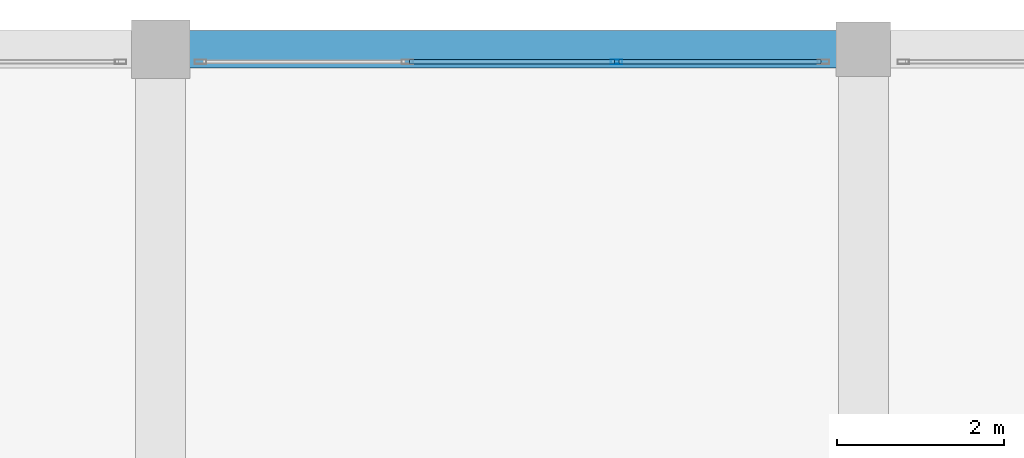
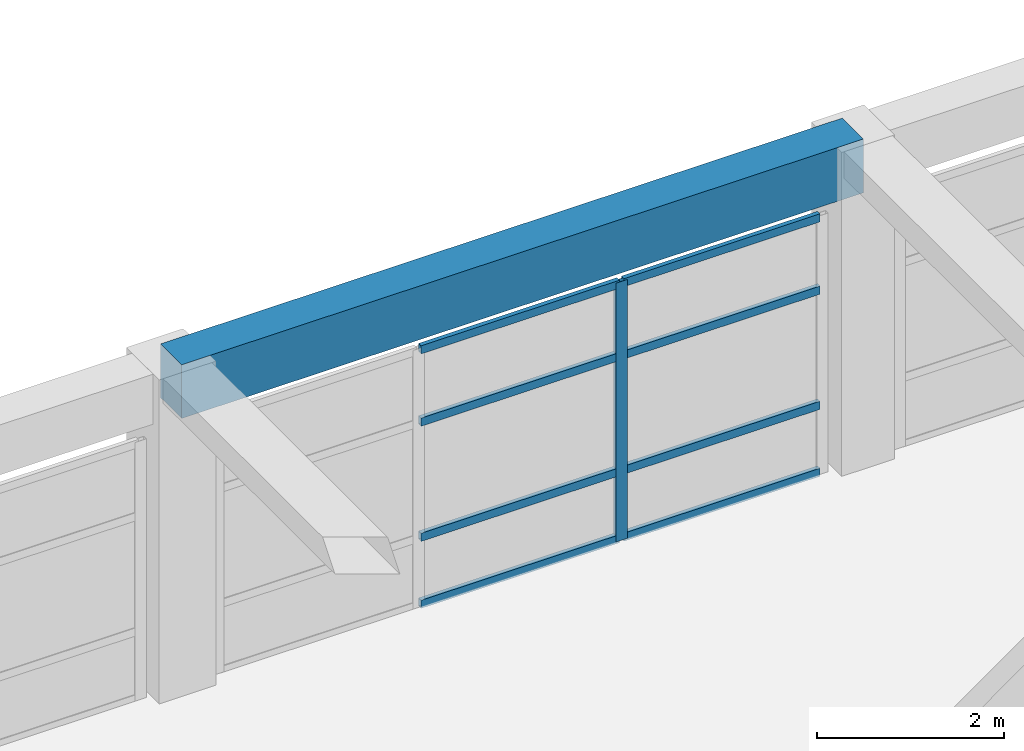
# One storey, part 48 of 85: 9 members, 1 beam, 1 element without a shape of its own.
"""IFC4 building model written with IfcOpenShell, lengths in metres."""

from ifc_helpers import new_model, si_unit, direction, frame, origin, origin_2d, place, context, subcontext, project, spatial, rectangle, hollow_rectangle, extrude, material, material_profile, profile_set, type_object, element, aggregate, save


model = new_model("IFC4")

# Units and contexts
model_context = context("Model", 3, precision=1e-05, world=origin(), true_north=direction((0.0, 1.0)))
body_context = subcontext(model_context, "Body", "Model", "MODEL_VIEW")
ifc_project = project(units=[si_unit("LENGTHUNIT", "METRE"), si_unit("AREAUNIT", "SQUARE_METRE"), si_unit("VOLUMEUNIT", "CUBIC_METRE"), si_unit("PLANEANGLEUNIT", "RADIAN"), si_unit("MASSUNIT", "GRAM", prefix="KILO")], contexts=[model_context])

# Site, building, storey
site_placement = place(None, origin())
site = spatial("IfcSite", under=ifc_project, at=site_placement, CompositionType="ELEMENT")
building_placement = place(site_placement, origin())
building = spatial("IfcBuilding", under=site, at=building_placement, Name="Almacenes y Pasaje Nevantli", CompositionType="ELEMENT")
storey_placement = place(building_placement, frame((0.0, 0.0, 22.199951171875)))
storey = spatial("IfcBuildingStorey", under=building, at=storey_placement, Name="L05", CompositionType="ELEMENT", Elevation=22.199951171875)

# Beam
ifc_material_1 = material(Name="Concrete C35/45", Category="concrete")
ifc_material_profile_1 = material_profile(ifc_material_1, rectangle(XDim=0.449951171875, YDim=0.699951171875, at=origin_2d()), Name="RC-BM-450x700")
ifc_profile_set_1 = profile_set([ifc_material_profile_1], Name="Concrete C35/45")
beam_type = type_object("IfcBeamType", Name="BM-RC-450x700", PredefinedType="SPANDREL", material=ifc_profile_set_1)
beam_placement = place(storey_placement, frame((100.800048828125, 117.60009765625, 3.8701171875), z_axis=(1.0, 0.0, 0.0), x_axis=(0.0, 1.0, 0.0)))
element("IfcBeam", 1, at=beam_placement, inside=storey, type_object=beam_type, Name="L05 East-West Reinforced Concrete Beam #3414", PredefinedType="SPANDREL", context=body_context, shape_type="SweptSolid", body=[
    extrude(rectangle(XDim=0.449951171875, YDim=0.699951171875, at=origin_2d()), origin(), (0.0, 0.0, 1.0), 8.39990234375),
])

# Curtain wall, members
ifc_material_2 = material(Name="Thermally Broken Aluminium and Low-E Glass", Category="aluminium")
curtain_wall_type = type_object("IfcCurtainWallType", Name="CW-UNIT-PODIUM", PredefinedType="USERDEFINED", material=ifc_material_2)
curtain_wall_placement = place(storey_placement, origin())
curtain_wall = element("IfcCurtainWall", 2, at=curtain_wall_placement, inside=storey, type_object=curtain_wall_type, Name="L05 Sky-Lobby North Curtain Wall Bay 13", ObjectType="UNITIZED CURTAIN WALL", PredefinedType="USERDEFINED")
ifc_material_3 = material(Name="Thermally Broken Anodized Aluminium", Category="aluminium")
ifc_material_profile_2 = material_profile(ifc_material_3, hollow_rectangle(XDim=0.054931640625, YDim=0.139892578125, WallThickness=0.00341796875, at=origin_2d()), Name="ALU-MUL-55x140")
ifc_profile_set_2 = profile_set([ifc_material_profile_2], Name="Thermally Broken Anodized Aluminium")
member_type_1 = type_object("IfcMemberType", Name="CW-MUL-160", PredefinedType="MULLION", material=ifc_profile_set_2)
member_1_placement = place(storey_placement, frame((106.25, 117.449951171875, 0.0), z_axis=(0.0, 0.0, 1.0), x_axis=(0.0, 1.0, 0.0)))
member_1 = element("IfcMember", 3, at=member_1_placement, type_object=member_type_1, Name="CW-L05-084 mullion 3", PredefinedType="MULLION", context=body_context, shape_type="SweptSolid", body=[
    extrude(hollow_rectangle(XDim=0.054931640625, YDim=0.139892578125, WallThickness=0.00341796875, at=origin_2d()), origin(), (0.0, 0.0, 1.0), 3.3701171875),
])
ifc_material_4 = material(Name="Thermally Broken Anodized Aluminium", Category="aluminium")
ifc_material_profile_3 = material_profile(ifc_material_4, hollow_rectangle(XDim=0.054931640625, YDim=0.10498046875, WallThickness=0.003173828125, at=origin_2d()), Name="ALU-TRN-55x105")
ifc_profile_set_3 = profile_set([ifc_material_profile_3], Name="Thermally Broken Anodized Aluminium")
member_type_2 = type_object("IfcMemberType", Name="CW-TRN-120", PredefinedType="USERDEFINED", material=ifc_profile_set_3)
member_2_placement = place(storey_placement, frame((103.777587890625, 117.449951171875, 0.027587890625), z_axis=(1.0, 0.0, 0.0), x_axis=(0.0, 1.0, 0.0)))
member_2 = element("IfcMember", 4, at=member_2_placement, type_object=member_type_2, Name="CW-L05-084 transom 2.1", ObjectType="TRANSOM", PredefinedType="USERDEFINED", context=body_context, shape_type="SweptSolid", body=[
    extrude(hollow_rectangle(XDim=0.054931640625, YDim=0.10498046875, WallThickness=0.003173828125, at=origin_2d()), origin(), (0.0, 0.0, 1.0), 2.44482421875),
])
member_3_placement = place(storey_placement, frame((103.777587890625, 117.449951171875, 0.900146484375), z_axis=(1.0, 0.0, 0.0), x_axis=(0.0, 1.0, 0.0)))
member_3 = element("IfcMember", 5, at=member_3_placement, type_object=member_type_2, Name="CW-L05-084 transom 2.2", ObjectType="TRANSOM", PredefinedType="USERDEFINED", context=body_context, shape_type="SweptSolid", body=[
    extrude(hollow_rectangle(XDim=0.054931640625, YDim=0.10498046875, WallThickness=0.003173828125, at=origin_2d()), origin(), (0.0, 0.0, 1.0), 2.44482421875),
])
member_4_placement = place(storey_placement, frame((103.777587890625, 117.449951171875, 2.400146484375), z_axis=(1.0, 0.0, 0.0), x_axis=(0.0, 1.0, 0.0)))
member_4 = element("IfcMember", 6, at=member_4_placement, type_object=member_type_2, Name="CW-L05-084 transom 2.3", ObjectType="TRANSOM", PredefinedType="USERDEFINED", context=body_context, shape_type="SweptSolid", body=[
    extrude(hollow_rectangle(XDim=0.054931640625, YDim=0.10498046875, WallThickness=0.003173828125, at=origin_2d()), origin(), (0.0, 0.0, 1.0), 2.44482421875),
])
member_5_placement = place(storey_placement, frame((103.777587890625, 117.449951171875, 3.342529296875), z_axis=(1.0, 0.0, 0.0), x_axis=(0.0, 1.0, 0.0)))
member_5 = element("IfcMember", 7, at=member_5_placement, type_object=member_type_2, Name="CW-L05-084 transom 2.4", ObjectType="TRANSOM", PredefinedType="USERDEFINED", context=body_context, shape_type="SweptSolid", body=[
    extrude(hollow_rectangle(XDim=0.054931640625, YDim=0.10498046875, WallThickness=0.003173828125, at=origin_2d()), origin(), (0.0, 0.0, 1.0), 2.44482421875),
])
member_6_placement = place(storey_placement, frame((106.277587890625, 117.449951171875, 0.027587890625), z_axis=(1.0, 0.0, 0.0), x_axis=(0.0, 1.0, 0.0)))
member_6 = element("IfcMember", 8, at=member_6_placement, type_object=member_type_2, Name="CW-L05-084 transom 3.1", ObjectType="TRANSOM", PredefinedType="USERDEFINED", context=body_context, shape_type="SweptSolid", body=[
    extrude(hollow_rectangle(XDim=0.054931640625, YDim=0.10498046875, WallThickness=0.003173828125, at=origin_2d()), origin(), (0.0, 0.0, 1.0), 2.41748046875),
])
member_7_placement = place(storey_placement, frame((106.277587890625, 117.449951171875, 0.900146484375), z_axis=(1.0, 0.0, 0.0), x_axis=(0.0, 1.0, 0.0)))
member_7 = element("IfcMember", 9, at=member_7_placement, type_object=member_type_2, Name="CW-L05-084 transom 3.2", ObjectType="TRANSOM", PredefinedType="USERDEFINED", context=body_context, shape_type="SweptSolid", body=[
    extrude(hollow_rectangle(XDim=0.054931640625, YDim=0.10498046875, WallThickness=0.003173828125, at=origin_2d()), origin(), (0.0, 0.0, 1.0), 2.41748046875),
])
member_8_placement = place(storey_placement, frame((106.277587890625, 117.449951171875, 2.400146484375), z_axis=(1.0, 0.0, 0.0), x_axis=(0.0, 1.0, 0.0)))
member_8 = element("IfcMember", 10, at=member_8_placement, type_object=member_type_2, Name="CW-L05-084 transom 3.3", ObjectType="TRANSOM", PredefinedType="USERDEFINED", context=body_context, shape_type="SweptSolid", body=[
    extrude(hollow_rectangle(XDim=0.054931640625, YDim=0.10498046875, WallThickness=0.003173828125, at=origin_2d()), origin(), (0.0, 0.0, 1.0), 2.41748046875),
])
member_9_placement = place(storey_placement, frame((106.277587890625, 117.449951171875, 3.342529296875), z_axis=(1.0, 0.0, 0.0), x_axis=(0.0, 1.0, 0.0)))
member_9 = element("IfcMember", 11, at=member_9_placement, type_object=member_type_2, Name="CW-L05-084 transom 3.4", ObjectType="TRANSOM", PredefinedType="USERDEFINED", context=body_context, shape_type="SweptSolid", body=[
    extrude(hollow_rectangle(XDim=0.054931640625, YDim=0.10498046875, WallThickness=0.003173828125, at=origin_2d()), origin(), (0.0, 0.0, 1.0), 2.41748046875),
])
aggregate(curtain_wall, [member_1, member_2, member_3, member_4, member_5, member_6, member_7, member_8, member_9])

save(model, "model.ifc")
